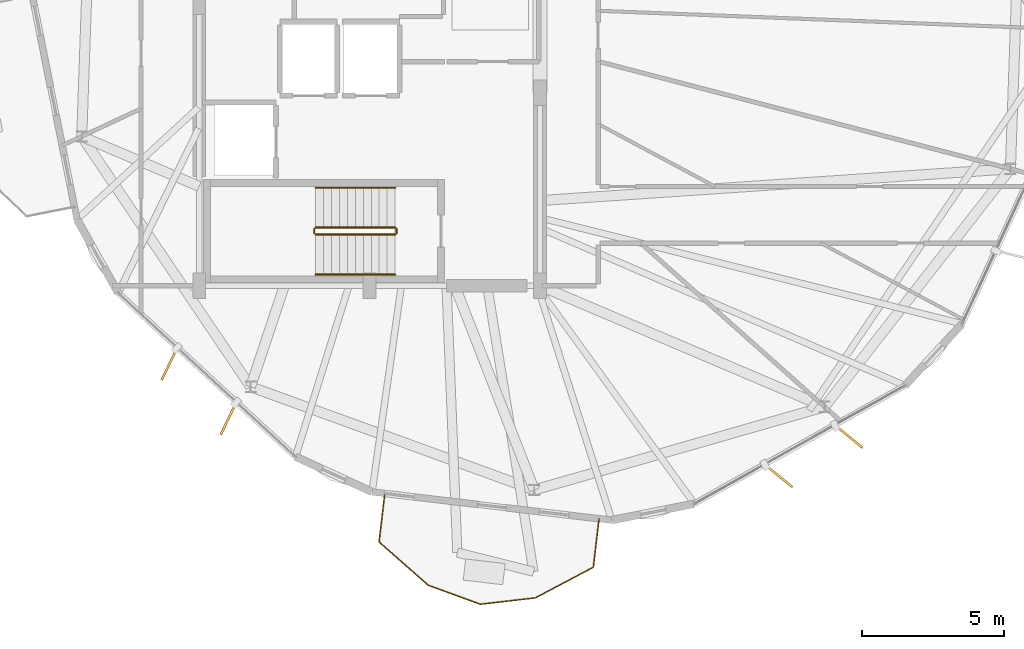
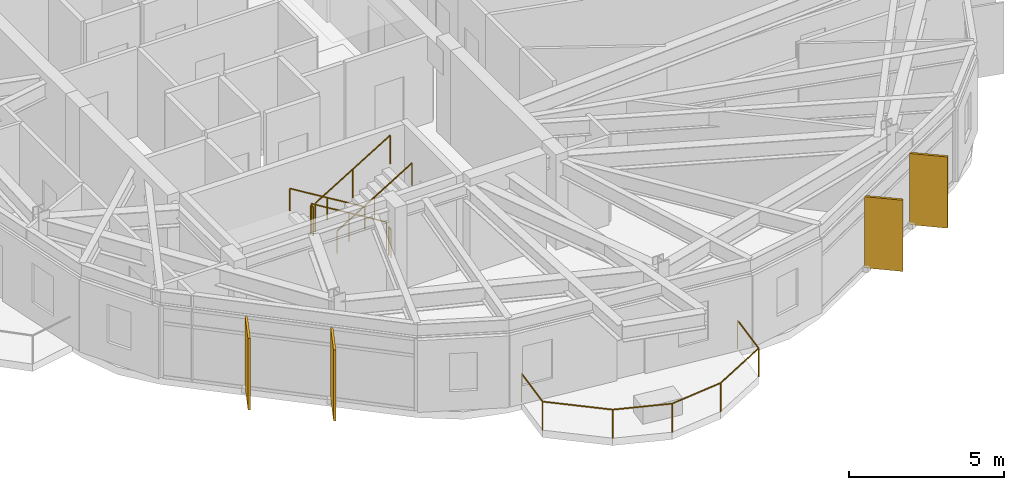
# One storey, part 23 of 25: 7 railings, 4 shading devices.
"""IFC4 building model written with IfcOpenShell, lengths in metres."""

from ifc_helpers import new_model, si_unit, direction, frame, origin, origin_2d, place, context, subcontext, project, spatial, rectangle, circle, extrude, material, layer, layer_set, type_object, element, save


model = new_model("IFC4")

# Units and contexts
model_context = context("Model", 3, precision=1e-05, world=origin(), true_north=direction((0.0, 1.0)))
body_context = subcontext(model_context, "Body", "Model", "MODEL_VIEW")
ifc_project = project(units=[si_unit("LENGTHUNIT", "METRE"), si_unit("AREAUNIT", "SQUARE_METRE"), si_unit("VOLUMEUNIT", "CUBIC_METRE"), si_unit("PLANEANGLEUNIT", "RADIAN"), si_unit("MASSUNIT", "GRAM", prefix="KILO")], contexts=[model_context])

# Site, building, storey
site_placement = place(None, origin())
site = spatial("IfcSite", under=ifc_project, at=site_placement, CompositionType="ELEMENT")
building_placement = place(site_placement, origin())
building = spatial("IfcBuilding", under=site, at=building_placement, Name="Soratama Intermodal Tower", CompositionType="ELEMENT")
storey_placement = place(building_placement, frame((0.0, 0.0, 272.5)))
storey = spatial("IfcBuildingStorey", under=building, at=storey_placement, Name="L69", CompositionType="ELEMENT", Elevation=272.5)

# Railings
ifc_material_1 = material(Name="Laminated glass and stainless steel balustrade", Category="steel")
railing_type_1 = type_object("IfcRailingType", Name="RL-BAL-1150", PredefinedType="BALUSTRADE", material=ifc_material_1)
railing_1_placement = place(storey_placement, frame((46.681640625, 6.79833984375, 0.0)))
element("IfcRailing", 1, at=railing_1_placement, inside=storey, type_object=railing_type_1, Name="L69 Balcony Balustrade 3", PredefinedType="BALUSTRADE", context=body_context, shape_type="SweptSolid", body=[
    extrude(circle(Radius=0.02392578125, at=origin_2d()), frame((0.0, 0.0, 1.1259765625), z_axis=(-0.117096533284, -0.993120537444, 0.0), x_axis=(0.993120537444, -0.117096533284, 0.0)), (0.0, 0.0, 1.0), 1.719970703125),
    extrude(circle(Radius=0.02392578125, at=origin_2d()), frame((-0.201416015625, -1.708251953125, 1.1259765625), z_axis=(-0.883888231, -0.467698188044, 0.0), x_axis=(0.467698188044, -0.883888231, 0.0)), (0.0, 0.0, 1.0), 2.308349609375),
    extrude(circle(Radius=0.02392578125, at=origin_2d()), frame((-2.24169921875, -2.787841796875, 1.1259765625), z_axis=(-0.993417695777, -0.11454816331, 0.0), x_axis=(0.11454816331, -0.993417695777, 0.0)), (0.0, 0.0, 1.0), 1.952392578125),
    extrude(circle(Radius=0.02392578125, at=origin_2d()), frame((-4.18115234375, -3.011474609375, 1.1259765625), z_axis=(-0.939592431374, 0.342295286127, 0.0), x_axis=(-0.342295286127, -0.939592431374, 0.0)), (0.0, 0.0, 1.0), 1.9521484375),
    extrude(circle(Radius=0.02392578125, at=origin_2d()), frame((-6.015380859375, -2.34326171875, 1.1259765625), z_axis=(-0.750969409735, 0.660336993998, 0.0), x_axis=(-0.660336993998, -0.750969409735, 0.0)), (0.0, 0.0, 1.0), 2.30859375),
    extrude(circle(Radius=0.02392578125, at=origin_2d()), frame((-7.7490234375, -0.81884765625, 1.1259765625), z_axis=(0.116973029666, 0.993135091682, 0.0), x_axis=(-0.993135091682, 0.116973029666, 0.0)), (0.0, 0.0, 1.0), 1.7197265625),
    extrude(circle(Radius=0.02099609375, at=origin_2d()), origin(), (0.0, 0.0, 1.0), 1.101806640625),
    extrude(circle(Radius=0.02099609375, at=origin_2d()), frame((-0.201416015625, -1.708251953125, 0.0)), (0.0, 0.0, 1.0), 1.101806640625),
    extrude(circle(Radius=0.02099609375, at=origin_2d()), frame((-2.24169921875, -2.787841796875, 0.0)), (0.0, 0.0, 1.0), 1.101806640625),
    extrude(circle(Radius=0.02099609375, at=origin_2d()), frame((-4.18115234375, -3.011474609375, 0.0)), (0.0, 0.0, 1.0), 1.101806640625),
    extrude(circle(Radius=0.02099609375, at=origin_2d()), frame((-6.015380859375, -2.34326171875, 0.0)), (0.0, 0.0, 1.0), 1.101806640625),
    extrude(circle(Radius=0.02099609375, at=origin_2d()), frame((-7.7490234375, -0.81884765625, 0.0)), (0.0, 0.0, 1.0), 1.101806640625),
    extrude(circle(Radius=0.02099609375, at=origin_2d()), frame((-7.5478515625, 0.88916015625, 0.0)), (0.0, 0.0, 1.0), 1.101806640625),
])
ifc_material_2 = material(Name="Painted steel stair guardrail", Category="steel")
railing_type_2 = type_object("IfcRailingType", Name="RL-STAIR-GUARD", PredefinedType="GUARDRAIL", material=ifc_material_2)
railing_2_placement = place(storey_placement, frame((39.5, 17.050048828125, 0.17041015625)))
element("IfcRailing", 2, at=railing_2_placement, inside=storey, type_object=railing_type_2, Name="L69 ST-1 stair guard 1", PredefinedType="GUARDRAIL", context=body_context, shape_type="SweptSolid", body=[
    extrude(circle(Radius=0.02392578125, at=origin_2d()), frame((0.0, 0.0, 1.1259765625), z_axis=(-0.854169791009, 0.0, 0.51999420009), x_axis=(0.0, -1.0, 0.0)), (0.0, 0.0, 1.0), 3.278076171875),
    extrude(circle(Radius=0.02099609375, at=origin_2d()), origin(), (0.0, 0.0, 1.0), 1.101806640625),
    extrude(circle(Radius=0.02099609375, at=origin_2d()), frame((-1.39990234375, 0.0, 0.852294921875)), (0.0, 0.0, 1.0), 1.101806640625),
    extrude(circle(Radius=0.02099609375, at=origin_2d()), frame((-2.800048828125, 0.0, 1.70458984375)), (0.0, 0.0, 1.0), 1.101806640625),
])
railing_3_placement = place(storey_placement, frame((36.64990234375, 17.0, 1.875)))
element("IfcRailing", 3, at=railing_3_placement, inside=storey, type_object=railing_type_2, Name="L69 ST-1 stair guard 2", PredefinedType="GUARDRAIL", context=body_context, shape_type="SweptSolid", body=[
    extrude(circle(Radius=0.02392578125, at=origin_2d()), frame((0.0, 0.0, 1.1259765625), z_axis=(0.0, -1.0, 0.0), x_axis=(1.0, 0.0, 0.0)), (0.0, 0.0, 1.0), 0.14990234375),
    extrude(circle(Radius=0.02099609375, at=origin_2d()), origin(), (0.0, 0.0, 1.0), 1.101806640625),
    extrude(circle(Radius=0.02099609375, at=origin_2d()), frame((0.0, -0.14990234375, 0.0)), (0.0, 0.0, 1.0), 1.101806640625),
])
railing_4_placement = place(storey_placement, frame((36.699951171875, 16.800048828125, 2.04541015625)))
element("IfcRailing", 4, at=railing_4_placement, inside=storey, type_object=railing_type_2, Name="L69 ST-1 stair guard 3", PredefinedType="GUARDRAIL", context=body_context, shape_type="SweptSolid", body=[
    extrude(circle(Radius=0.02392578125, at=origin_2d()), frame((0.0, 0.0, 1.1259765625), z_axis=(0.854169791009, 0.0, 0.51999420009), x_axis=(0.0, 1.0, 0.0)), (0.0, 0.0, 1.0), 3.278076171875),
    extrude(circle(Radius=0.02099609375, at=origin_2d()), origin(), (0.0, 0.0, 1.0), 1.101806640625),
    extrude(circle(Radius=0.02099609375, at=origin_2d()), frame((1.39990234375, 0.0, 0.852294921875)), (0.0, 0.0, 1.0), 1.101806640625),
    extrude(circle(Radius=0.02099609375, at=origin_2d()), frame((2.800048828125, 0.0, 1.70458984375)), (0.0, 0.0, 1.0), 1.101806640625),
])
railing_5_placement = place(storey_placement, frame((39.550048828125, 17.0, 0.0)))
element("IfcRailing", 5, at=railing_5_placement, inside=storey, type_object=railing_type_2, Name="L69 ST-1 stair guard 4", PredefinedType="GUARDRAIL", context=body_context, shape_type="SweptSolid", body=[
    extrude(circle(Radius=0.02392578125, at=origin_2d()), frame((0.0, 0.0, 1.1259765625), z_axis=(0.0, -1.0, 0.0), x_axis=(1.0, 0.0, 0.0)), (0.0, 0.0, 1.0), 0.14990234375),
    extrude(circle(Radius=0.02099609375, at=origin_2d()), origin(), (0.0, 0.0, 1.0), 1.101806640625),
    extrude(circle(Radius=0.02099609375, at=origin_2d()), frame((0.0, -0.14990234375, 0.0)), (0.0, 0.0, 1.0), 1.101806640625),
])
ifc_material_3 = material(Name="Brushed stainless steel handrail", Category="steel")
railing_type_3 = type_object("IfcRailingType", Name="RL-STAIR-HAND", PredefinedType="HANDRAIL", material=ifc_material_3)
railing_6_placement = place(storey_placement, frame((39.5, 18.449951171875, 0.17041015625)))
element("IfcRailing", 6, at=railing_6_placement, inside=storey, type_object=railing_type_3, Name="L69 ST-1 stair handrail 1", PredefinedType="HANDRAIL", context=body_context, shape_type="SweptSolid", body=[
    extrude(circle(Radius=0.02392578125, at=origin_2d()), frame((0.0, 0.0, 0.8759765625), z_axis=(-0.854169791009, 0.0, 0.51999420009), x_axis=(0.0, -1.0, 0.0)), (0.0, 0.0, 1.0), 3.278076171875),
    extrude(circle(Radius=0.02099609375, at=origin_2d()), origin(), (0.0, 0.0, 1.0), 0.851806640625),
    extrude(circle(Radius=0.02099609375, at=origin_2d()), frame((-1.39990234375, 0.0, 0.852294921875)), (0.0, 0.0, 1.0), 0.851806640625),
    extrude(circle(Radius=0.02099609375, at=origin_2d()), frame((-2.800048828125, 0.0, 1.70458984375)), (0.0, 0.0, 1.0), 0.851806640625),
])
railing_7_placement = place(storey_placement, frame((36.699951171875, 15.39990234375, 2.04541015625)))
element("IfcRailing", 7, at=railing_7_placement, inside=storey, type_object=railing_type_3, Name="L69 ST-1 stair handrail 2", PredefinedType="HANDRAIL", context=body_context, shape_type="SweptSolid", body=[
    extrude(circle(Radius=0.02392578125, at=origin_2d()), frame((0.0, 0.0, 0.8759765625), z_axis=(0.854169791009, 0.0, 0.51999420009), x_axis=(0.0, 1.0, 0.0)), (0.0, 0.0, 1.0), 3.278076171875),
    extrude(circle(Radius=0.02099609375, at=origin_2d()), origin(), (0.0, 0.0, 1.0), 0.851806640625),
    extrude(circle(Radius=0.02099609375, at=origin_2d()), frame((1.39990234375, 0.0, 0.852294921875)), (0.0, 0.0, 1.0), 0.851806640625),
    extrude(circle(Radius=0.02099609375, at=origin_2d()), frame((2.800048828125, 0.0, 1.70458984375)), (0.0, 0.0, 1.0), 0.851806640625),
])

# Shading devices
ifc_material_4 = material(Name="Champagne anodised aluminium solar fin", Category="aluminium")
ifc_layer = layer(ifc_material_4, 0.080078125)
ifc_layer_set = layer_set([ifc_layer], Name="Champagne anodised aluminium solar fin")
shading_device_type = type_object("IfcShadingDeviceType", Name="SH-FIN-1250", PredefinedType="USERDEFINED", material=ifc_layer_set)
for number, where, z_axis, x_axis, name in (
    (8, (31.549072265625, 12.244140625, 0.02001953125), (0.0, 0.0, 1.0), (-0.434445257404, -0.900698239323, 0.0), "L69 Solar Fin F05-1"),
    (9, (33.630615234375, 10.322021484375, 0.02001953125), (0.0, 0.0, 1.0), (-0.434445257404, -0.900698239323, 0.0), "L69 Solar Fin F05-2"),
    (10, (53.0078125, 8.302734375, 0.02001953125), (0.0, 0.0, 1.0), (0.773397837916, -0.633920960614, 0.0), "L69 Solar Fin F07-1"),
    (11, (55.47900390625, 9.6884765625, 0.02001953125), (0.0, 0.0, 1.0), (0.773397837916, -0.633920960614, 0.0), "L69 Solar Fin F07-2"),
):
    element("IfcShadingDevice", number, at=place(storey_placement, frame(where, z_axis=z_axis, x_axis=x_axis)), inside=storey, type_object=shading_device_type, Name=name, ObjectType="FIN", PredefinedType="USERDEFINED", context=body_context, shape_type="SweptSolid", body=[
        extrude(rectangle(XDim=1.25, YDim=0.080078125, at=origin_2d()), origin(), (0.0, 0.0, 1.0), 2.80908203125),
    ])

save(model, "model.ifc")
